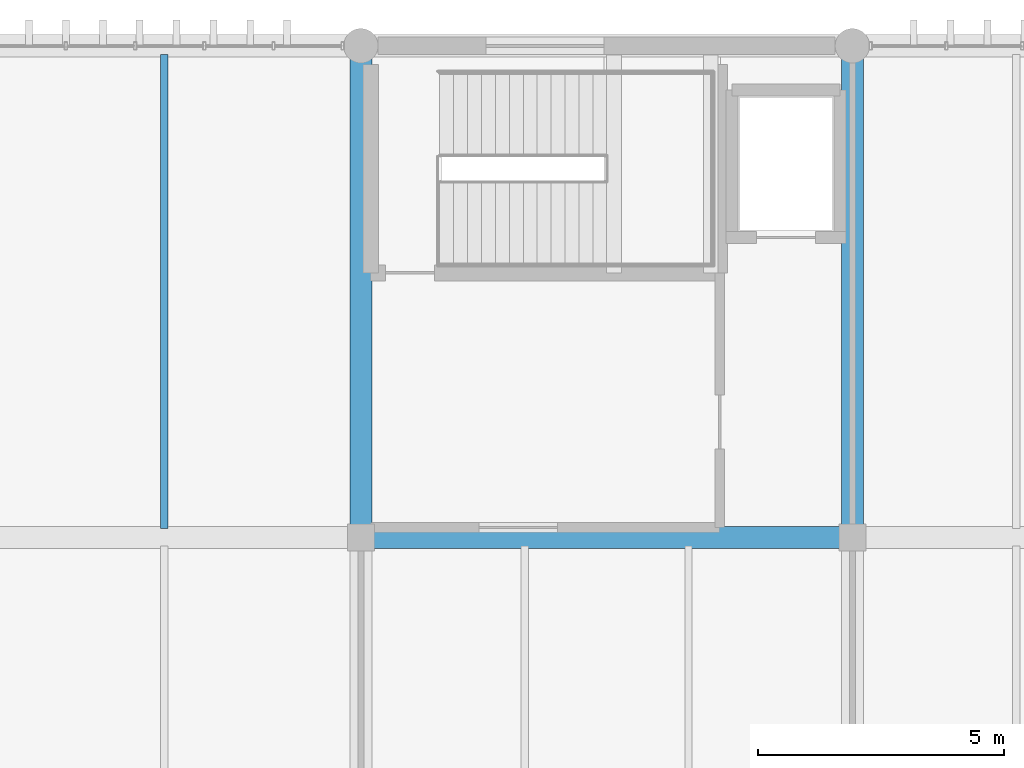
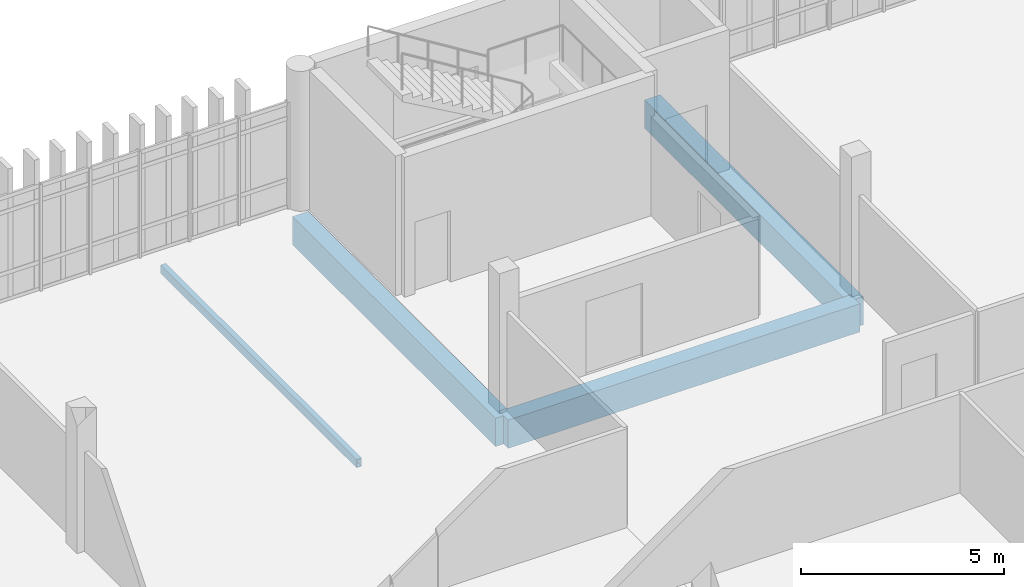
# One storey, part 14 of 29: 4 beams.
"""IFC4 building model written with IfcOpenShell, lengths in metres."""

from ifc_helpers import new_model, si_unit, direction, frame, origin, origin_2d, place, context, subcontext, project, spatial, rectangle, hollow_rectangle, extrude, material, material_profile, profile_set, type_object, element, save


model = new_model("IFC4")

# Units and contexts
model_context = context("Model", 3, precision=1e-05, world=origin(), true_north=direction((0.0, 1.0)))
body_context = subcontext(model_context, "Body", "Model", "MODEL_VIEW")
ifc_project = project(units=[si_unit("LENGTHUNIT", "METRE"), si_unit("AREAUNIT", "SQUARE_METRE"), si_unit("VOLUMEUNIT", "CUBIC_METRE"), si_unit("PLANEANGLEUNIT", "RADIAN"), si_unit("MASSUNIT", "GRAM", prefix="KILO")], contexts=[model_context])

# Site, building, storey
site_placement = place(None, origin())
site = spatial("IfcSite", under=ifc_project, at=site_placement, CompositionType="ELEMENT")
building_placement = place(site_placement, origin())
building = spatial("IfcBuilding", under=site, at=building_placement, Name="Mersad Railyard Sports Hall", CompositionType="ELEMENT")
storey_placement = place(building_placement, frame((0.0, 0.0, 17.39990234375)))
storey = spatial("IfcBuildingStorey", under=building, at=storey_placement, Name="L04", CompositionType="ELEMENT", Elevation=17.39990234375)

# Beams
ifc_material_1 = material(Name="Concrete C40/50", Category="concrete")
ifc_material_profile_1 = material_profile(ifc_material_1, rectangle(XDim=0.449951171875, YDim=0.85009765625, at=origin_2d()), Name="RC 450x850")
ifc_profile_set_1 = profile_set([ifc_material_profile_1], Name="Concrete C40/50")
beam_type_1 = type_object("IfcBeamType", Name="STR-BM-B02", PredefinedType="BEAM", material=ifc_profile_set_1)
for number, where, z_axis, x_axis, name in (
    (1, (91.0, 105.0, -0.744873046875), (1.0, 0.0, 0.0), (0.0, 1.0, 0.0), "Beam B02-1331"),
    (2, (91.0, 105.0, -0.744873046875), (0.0, 1.0, 0.0), (-1.0, 0.0, 0.0), "Beam B02-1353"),
    (3, (101.0, 105.0, -0.744873046875), (0.0, 1.0, 0.0), (-1.0, 0.0, 0.0), "Beam B02-1356"),
):
    element("IfcBeam", number, at=place(storey_placement, frame(where, z_axis=z_axis, x_axis=x_axis)), inside=storey, type_object=beam_type_1, Name=name, PredefinedType="BEAM", context=body_context, shape_type="SweptSolid", body=[
        extrude(rectangle(XDim=0.449951171875, YDim=0.85009765625, at=origin_2d()), origin(), (0.0, 0.0, 1.0), 10.0),
    ])
ifc_material_2 = material(Name="Steel S355", Category="steel")
ifc_material_profile_2 = material_profile(ifc_material_2, hollow_rectangle(XDim=0.14990234375, YDim=0.25, WallThickness=0.012451171875, at=origin_2d()), Name="RHS 250x150x12.5")
ifc_profile_set_2 = profile_set([ifc_material_profile_2], Name="Steel S355")
beam_type_2 = type_object("IfcBeamType", Name="STR-BM-SB05", PredefinedType="BEAM", material=ifc_profile_set_2)
beam_placement = place(storey_placement, frame((87.0, 105.179931640625, -0.44482421875), z_axis=(0.0, 1.0, 0.0), x_axis=(-1.0, 0.0, 0.0)))
element("IfcBeam", 4, at=beam_placement, inside=storey, type_object=beam_type_2, Name="Beam SB05-1382", PredefinedType="BEAM", context=body_context, shape_type="SweptSolid", body=[
    extrude(hollow_rectangle(XDim=0.14990234375, YDim=0.25, WallThickness=0.012451171875, at=origin_2d()), origin(), (0.0, 0.0, 1.0), 9.64013671875),
])

save(model, "model.ifc")
